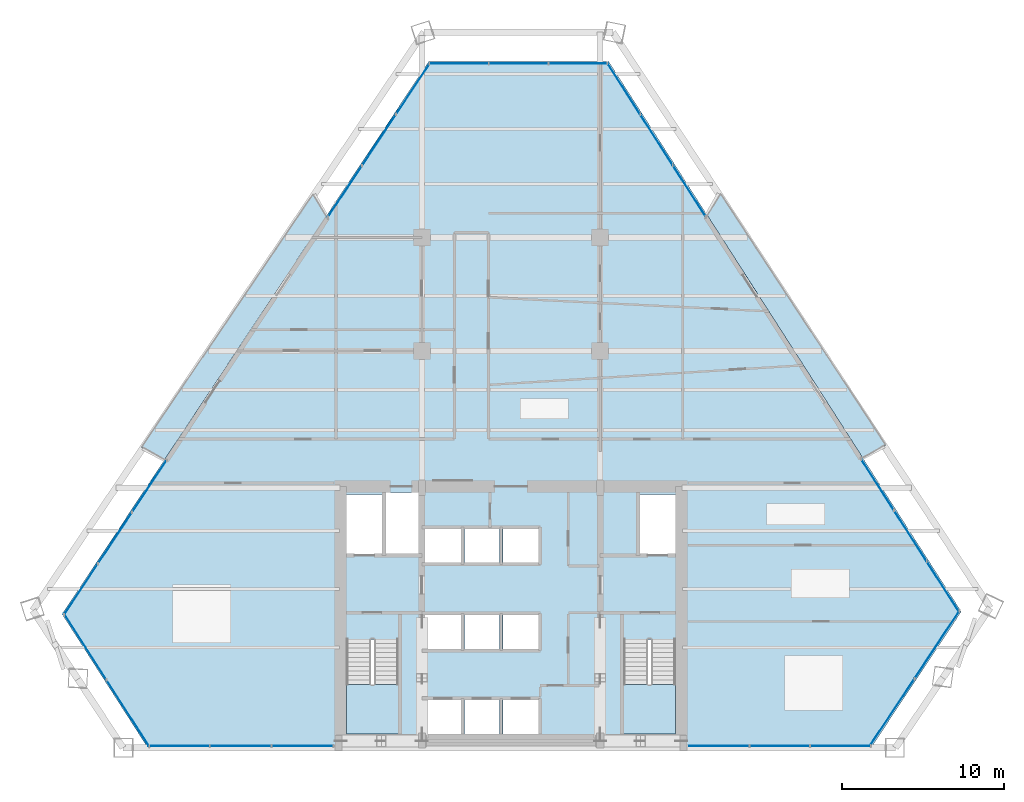
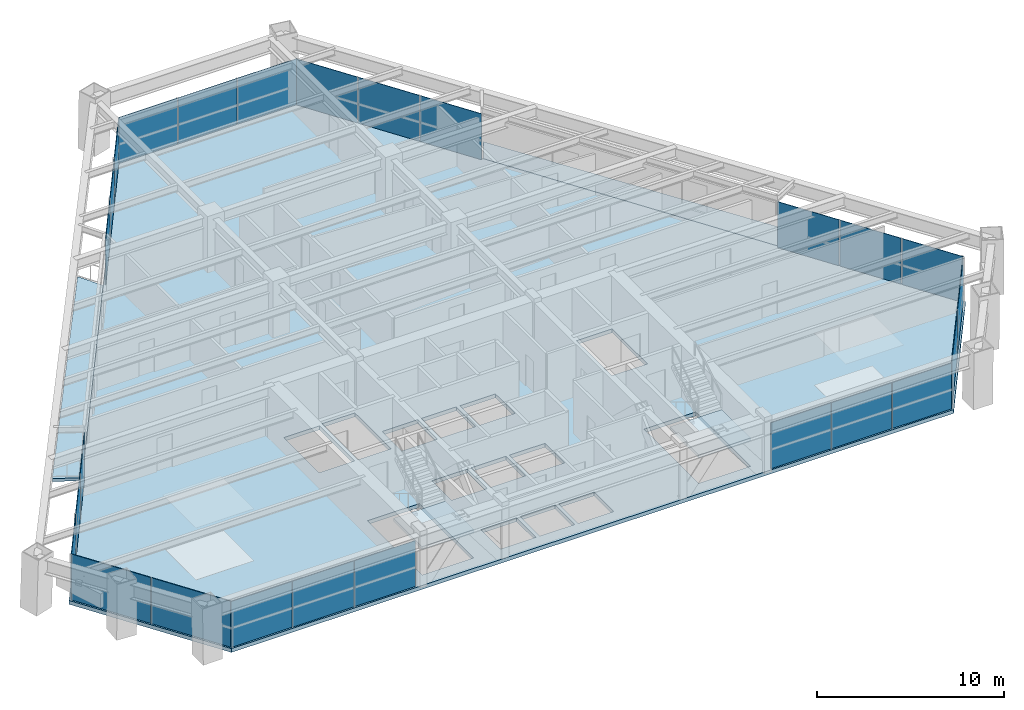
# One storey, part 9 of 14: 25 plates, 5 slabs, 11 elements without a shape of their own.
"""IFC4 building model written with IfcOpenShell, lengths in metres."""

from ifc_helpers import new_model, si_unit, direction, frame, origin, origin_2d, place, context, subcontext, project, spatial, polyline, rectangle, outline, extrude, source, transform, mapped, material, layer, layer_set, type_object, element, aggregate, save


model = new_model("IFC4")

# Units and contexts
model_context = context("Model", 3, precision=1e-05, world=origin(), true_north=direction((0.0, 1.0)))
body_context = subcontext(model_context, "Body", "Model", "MODEL_VIEW")
ifc_project = project(units=[si_unit("LENGTHUNIT", "METRE"), si_unit("AREAUNIT", "SQUARE_METRE"), si_unit("VOLUMEUNIT", "CUBIC_METRE"), si_unit("PLANEANGLEUNIT", "RADIAN"), si_unit("MASSUNIT", "GRAM", prefix="KILO")], contexts=[model_context])

# Site, building, storey
site_placement = place(None, origin())
site = spatial("IfcSite", under=ifc_project, at=site_placement, CompositionType="ELEMENT")
building_placement = place(site_placement, origin())
building = spatial("IfcBuilding", under=site, at=building_placement, Name="Varnakhor Terracotta Tower", CompositionType="ELEMENT")
storey_placement = place(building_placement, frame((0.0, 0.0, 117.300048828125)))
storey = spatial("IfcBuildingStorey", under=building, at=storey_placement, Name="L29", CompositionType="ELEMENT", Elevation=117.300048828125)

# Stair, slab
ifc_material_1 = material(Name="Concrete C40/50", Category="concrete")
stair_type = type_object("IfcStairType", Name="STR-CORE-OFFICE-1500", PredefinedType="HALF_TURN_STAIR", material=ifc_material_1)
stair_1_placement = place(storey_placement, origin())
stair_1 = element("IfcStair", 1, at=stair_1_placement, inside=storey, type_object=stair_type, Name="L29 Core Exit Stair ST-1", PredefinedType="HALF_TURN_STAIR")
ifc_layer_1 = layer(ifc_material_1, 0.179931640625, Name="Concrete C40/50")
ifc_layer_set_1 = layer_set([ifc_layer_1], Name="Concrete C40/50")
slab_type_1 = type_object("IfcSlabType", Name="SLB-LANDING-180", PredefinedType="LANDING", material=ifc_layer_set_1)
slab_1_placement = place(storey_placement, frame((0.0, 0.0, 1.64990234375)))
slab_1 = element("IfcSlab", 2, at=slab_1_placement, type_object=slab_type_1, Name="ST-1 landing 1", PredefinedType="LANDING", context=body_context, shape_type="SweptSolid", body=[
    extrude(outline(polyline([(-10.14990234375, 3.909912109375), (-10.14990234375, 0.85009765625), (-6.949951171875, 0.85009765625), (-6.949951171875, 3.909912109375), (-10.14990234375, 3.909912109375)])), origin(), (0.0, 0.0, 1.0), 0.199951171875),
])
aggregate(stair_1, [slab_1])

stair_2_placement = place(storey_placement, origin())
stair_2 = element("IfcStair", 3, at=stair_2_placement, inside=storey, type_object=stair_type, Name="L29 Core Exit Stair ST-2", PredefinedType="HALF_TURN_STAIR")
slab_2_placement = place(storey_placement, frame((0.0, 0.0, 1.64990234375)))
slab_2 = element("IfcSlab", 4, at=slab_2_placement, type_object=slab_type_1, Name="ST-2 landing 1", PredefinedType="LANDING", context=body_context, shape_type="SweptSolid", body=[
    extrude(outline(polyline([(6.949951171875, 3.909912109375), (6.949951171875, 0.85009765625), (10.14990234375, 0.85009765625), (10.14990234375, 3.909912109375), (6.949951171875, 3.909912109375)])), origin(), (0.0, 0.0, 1.0), 0.199951171875),
])
aggregate(stair_2, [slab_2])

# Slabs
ifc_layer_2 = layer(ifc_material_1, 0.195068359375, Name="Concrete C40/50")
ifc_layer_set_2 = layer_set([ifc_layer_2], Name="Concrete C40/50")
slab_type_2 = type_object("IfcSlabType", Name="SLB-LOGGIA-EXT-195", PredefinedType="FLOOR", material=ifc_layer_set_2)
slab_3_placement = place(storey_placement, frame((0.0, 0.0, -0.195068359375)))
element("IfcSlab", 5, at=slab_3_placement, inside=storey, type_object=slab_type_2, Name="L29 E Recessed Outdoor Loggia Slab", PredefinedType="FLOOR", context=body_context, shape_type="SweptSolid", body=[
    extrude(outline(polyline([(12.905517578125, 34.236083984375), (23.125244140625, 18.66748046875), (21.69970703125, 17.91064453125), (17.854736328125, 23.90966796875), (12.125732421875, 32.847900390625), (12.905517578125, 34.236083984375)])), origin(), (0.0, 0.0, 1.0), 0.195068359375),
])
slab_4_placement = place(storey_placement, frame((0.0, 0.0, -0.195068359375)))
element("IfcSlab", 6, at=slab_4_placement, inside=storey, type_object=slab_type_2, Name="L29 W Recessed Outdoor Loggia Slab", PredefinedType="FLOOR", context=body_context, shape_type="SweptSolid", body=[
    extrude(outline(polyline([(-22.802490234375, 18.549560546875), (-12.197998046875, 34.190185546875), (-11.41650390625, 32.803955078125), (-19.94482421875, 19.948974609375), (-21.372314453125, 17.797607421875), (-22.802490234375, 18.549560546875)])), origin(), (0.0, 0.0, 1.0), 0.195068359375),
])
ifc_layer_3 = layer(ifc_material_1, 0.25, Name="Concrete C40/50")
ifc_layer_set_3 = layer_set([ifc_layer_3], Name="Concrete C40/50")
slab_type_3 = type_object("IfcSlabType", Name="SLB-OFF-250", PredefinedType="FLOOR", material=ifc_layer_set_3)
slab_5_placement = place(storey_placement, frame((0.0, 0.0, -0.25)))
element("IfcSlab", 7, at=slab_5_placement, inside=storey, type_object=slab_type_3, Name="L29 Structural Floor Slab", PredefinedType="FLOOR", context=body_context, shape_type="SweptSolid", body=[
    extrude(outline(polyline([(-27.70751953125, 8.247802734375), (-5.0810546875, 42.353515625), (6.033203125, 42.353515625), (27.792236328125, 8.405029296875), (22.21630859375, 0.0), (-22.421142578125, 0.0), (-27.70751953125, 8.247802734375)]), holes=[polyline([(-3.10009765625, 0.85009765625), (-3.10009765625, 2.949951171875), (-5.300048828125, 2.949951171875), (-5.300048828125, 0.85009765625), (-3.10009765625, 0.85009765625)]), polyline([(-2.8798828125, 0.85009765625), (-0.719970703125, 0.85009765625), (-0.719970703125, 2.949951171875), (-2.8798828125, 2.949951171875), (-2.8798828125, 0.85009765625)]), polyline([(-10.14990234375, 0.85009765625), (-6.949951171875, 0.85009765625), (-6.949951171875, 6.695068359375), (-10.14990234375, 6.695068359375), (-10.14990234375, 0.85009765625)]), polyline([(-5.300048828125, 6.10009765625), (-3.10009765625, 6.10009765625), (-3.10009765625, 8.199951171875), (-5.300048828125, 8.199951171875), (-5.300048828125, 6.10009765625)]), polyline([(-5.300048828125, 11.419921875), (-3.10009765625, 11.419921875), (-3.10009765625, 13.52001953125), (-5.300048828125, 13.52001953125), (-5.300048828125, 11.419921875)]), polyline([(-10.14990234375, 11.8798828125), (-7.949951171875, 11.8798828125), (-7.949951171875, 15.64990234375), (-10.14990234375, 15.64990234375), (-10.14990234375, 11.8798828125)]), polyline([(-7.72998046875, 11.8798828125), (-5.699951171875, 11.8798828125), (-5.699951171875, 15.75), (-7.72998046875, 15.75), (-7.72998046875, 11.8798828125)]), polyline([(1.699951171875, 0.85009765625), (1.699951171875, 2.949951171875), (-0.5, 2.949951171875), (-0.5, 0.85009765625), (1.699951171875, 0.85009765625)]), polyline([(6.949951171875, 0.85009765625), (10.14990234375, 0.85009765625), (10.14990234375, 6.695068359375), (6.949951171875, 6.695068359375), (6.949951171875, 0.85009765625)]), polyline([(-2.8798828125, 6.10009765625), (-0.719970703125, 6.10009765625), (-0.719970703125, 8.199951171875), (-2.8798828125, 8.199951171875), (-2.8798828125, 6.10009765625)]), polyline([(-0.5, 6.10009765625), (1.699951171875, 6.10009765625), (1.699951171875, 8.199951171875), (-0.5, 8.199951171875), (-0.5, 6.10009765625)]), polyline([(-2.8798828125, 11.419921875), (-0.719970703125, 11.419921875), (-0.719970703125, 13.52001953125), (-2.8798828125, 13.52001953125), (-2.8798828125, 11.419921875)]), polyline([(-0.5, 11.419921875), (1.699951171875, 11.419921875), (1.699951171875, 13.52001953125), (-0.5, 13.52001953125), (-0.5, 11.419921875)]), polyline([(7.949951171875, 11.8798828125), (10.14990234375, 11.8798828125), (10.14990234375, 15.64990234375), (7.949951171875, 15.64990234375), (7.949951171875, 11.8798828125)])]), origin(), (0.0, 0.0, 1.0), 0.25),
])

# Curtain wall, plates
ifc_material_2 = material(Name="Anodised Aluminium Curtain Wall System", Category="aluminium")
curtain_wall_type = type_object("IfcCurtainWallType", Name="CW-SYS-LOW-OFFICE", PredefinedType="NOTDEFINED", material=ifc_material_2)
curtain_wall_1_placement = place(storey_placement, origin())
curtain_wall_1 = element("IfcCurtainWall", 8, at=curtain_wall_1_placement, inside=storey, type_object=curtain_wall_type, Name="L29 W Facet Curtain Wall 1", PredefinedType="NOTDEFINED")
ifc_material_3 = material(Name="Solar-Control Low-E Insulated Glass Panel", Category="glass")
ifc_layer_4 = layer(ifc_material_3, 0.0380859375, Name="Solar-Control Low-E Insulated Glass Panel")
ifc_layer_set_4 = layer_set([ifc_layer_4], Name="Solar-Control Low-E Insulated Glass Panel")
plate_type = type_object("IfcPlateType", Name="CWP-02", PredefinedType="CURTAIN_PANEL", material=ifc_layer_set_4)
shared_shape_1 = source(origin(), body_context, "Body", "SweptSolid", [
    extrude(rectangle(XDim=3.760009765625, YDim=0.035888671875, at=origin_2d()), origin(), (0.0, 0.0, 1.0), 3.0),
])
plate_1_placement = place(storey_placement, frame((-26.54052734375, 9.789794921875, 0.0), z_axis=(0.0, 0.0, 1.0), x_axis=(0.552824469583, 0.833297729404, 0.0)))
plate_1 = element("IfcPlate", 9, at=plate_1_placement, type_object=plate_type, Name="L29 W Facet Curtain Wall 1 Glazed Panel 1", PredefinedType="CURTAIN_PANEL", context=body_context, shape_type="MappedRepresentation", body=[
    mapped(shared_shape_1, transform((0.0, 0.0, 0.0), scale=1.0)),
])
plate_2_placement = place(storey_placement, frame((-24.43994140625, 12.956298828125, 0.0), z_axis=(0.0, 0.0, 1.0), x_axis=(0.552824469583, 0.833297729404, 0.0)))
plate_2 = element("IfcPlate", 10, at=plate_2_placement, type_object=plate_type, Name="L29 W Facet Curtain Wall 1 Glazed Panel 2", PredefinedType="CURTAIN_PANEL", context=body_context, shape_type="MappedRepresentation", body=[
    mapped(shared_shape_1, transform((0.0, 0.0, 0.0), scale=1.0)),
])
plate_3_placement = place(storey_placement, frame((-22.339111328125, 16.122802734375, 0.0), z_axis=(0.0, 0.0, 1.0), x_axis=(0.552824469583, 0.833297729404, 0.0)))
plate_3 = element("IfcPlate", 11, at=plate_3_placement, type_object=plate_type, Name="L29 W Facet Curtain Wall 1 Glazed Panel 3", PredefinedType="CURTAIN_PANEL", context=body_context, shape_type="MappedRepresentation", body=[
    mapped(shared_shape_1, transform((0.0, 0.0, 0.0), scale=1.0)),
])
aggregate(curtain_wall_1, [plate_1, plate_2, plate_3])

curtain_wall_2_placement = place(storey_placement, origin())
curtain_wall_2 = element("IfcCurtainWall", 12, at=curtain_wall_2_placement, inside=storey, type_object=curtain_wall_type, Name="L29 W Facet Curtain Wall 2", PredefinedType="NOTDEFINED")
plate_4_placement = place(storey_placement, frame((-10.24951171875, 34.345703125, 0.0), z_axis=(0.0, 0.0, 1.0), x_axis=(0.552824469583, 0.833297729404, 0.0)))
plate_4 = element("IfcPlate", 13, at=plate_4_placement, type_object=plate_type, Name="L29 W Facet Curtain Wall 2 Glazed Panel 1", PredefinedType="CURTAIN_PANEL", context=body_context, shape_type="MappedRepresentation", body=[
    mapped(shared_shape_1, transform((0.0, 0.0, 0.0), scale=1.0)),
])
plate_5_placement = place(storey_placement, frame((-8.148681640625, 37.51220703125, 0.0), z_axis=(0.0, 0.0, 1.0), x_axis=(0.552824469583, 0.833297729404, 0.0)))
plate_5 = element("IfcPlate", 14, at=plate_5_placement, type_object=plate_type, Name="L29 W Facet Curtain Wall 2 Glazed Panel 2", PredefinedType="CURTAIN_PANEL", context=body_context, shape_type="MappedRepresentation", body=[
    mapped(shared_shape_1, transform((0.0, 0.0, 0.0), scale=1.0)),
])
plate_6_placement = place(storey_placement, frame((-6.048095703125, 40.678955078125, 0.0), z_axis=(0.0, 0.0, 1.0), x_axis=(0.552824469583, 0.833297729404, 0.0)))
plate_6 = element("IfcPlate", 15, at=plate_6_placement, type_object=plate_type, Name="L29 W Facet Curtain Wall 2 Glazed Panel 3", PredefinedType="CURTAIN_PANEL", context=body_context, shape_type="MappedRepresentation", body=[
    mapped(shared_shape_1, transform((0.0, 0.0, 0.0), scale=1.0)),
])
aggregate(curtain_wall_2, [plate_4, plate_5, plate_6])

curtain_wall_3_placement = place(storey_placement, origin())
curtain_wall_3 = element("IfcCurtainWall", 16, at=curtain_wall_3_placement, inside=storey, type_object=curtain_wall_type, Name="L29 Facet Curtain Wall 2", PredefinedType="NOTDEFINED")
shared_shape_2 = source(origin(), body_context, "Body", "SweptSolid", [
    extrude(rectangle(XDim=3.644775390625, YDim=0.035888671875, at=origin_2d()), origin(), (0.0, 0.0, 1.0), 3.0),
])
plate_7_placement = place(storey_placement, frame((-3.208740234375, 42.2333984375, 0.0), z_axis=(0.0, 0.0, 1.0), x_axis=(1.0, 0.0, 0.0)))
plate_7 = element("IfcPlate", 17, at=plate_7_placement, type_object=plate_type, Name="L29 Facet Curtain Wall 2 Glazed Panel 1", PredefinedType="CURTAIN_PANEL", context=body_context, shape_type="MappedRepresentation", body=[
    mapped(shared_shape_2, transform((0.0, 0.0, 0.0), scale=1.0)),
])
plate_8_placement = place(storey_placement, frame((0.47607421875, 42.2333984375, 0.0), z_axis=(0.0, 0.0, 1.0), x_axis=(1.0, 0.0, 0.0)))
plate_8 = element("IfcPlate", 18, at=plate_8_placement, type_object=plate_type, Name="L29 Facet Curtain Wall 2 Glazed Panel 2", PredefinedType="CURTAIN_PANEL", context=body_context, shape_type="MappedRepresentation", body=[
    mapped(shared_shape_2, transform((0.0, 0.0, 0.0), scale=1.0)),
])
plate_9_placement = place(storey_placement, frame((4.160888671875, 42.2333984375, 0.0), z_axis=(0.0, 0.0, 1.0), x_axis=(1.0, 0.0, 0.0)))
plate_9 = element("IfcPlate", 19, at=plate_9_placement, type_object=plate_type, Name="L29 Facet Curtain Wall 2 Glazed Panel 3", PredefinedType="CURTAIN_PANEL", context=body_context, shape_type="MappedRepresentation", body=[
    mapped(shared_shape_2, transform((0.0, 0.0, 0.0), scale=1.0)),
])
aggregate(curtain_wall_3, [plate_7, plate_8, plate_9])

curtain_wall_4_placement = place(storey_placement, origin())
curtain_wall_4 = element("IfcCurtainWall", 20, at=curtain_wall_4_placement, inside=storey, type_object=curtain_wall_type, Name="L29 E Facet Curtain Wall 1", PredefinedType="NOTDEFINED")
shared_shape_3 = source(origin(), body_context, "Body", "SweptSolid", [
    extrude(rectangle(XDim=3.70361328125, YDim=0.035888671875, at=origin_2d()), origin(), (0.0, 0.0, 1.0), 3.0),
])
plate_10_placement = place(storey_placement, frame((6.95849609375, 40.687744140625, 0.0), z_axis=(0.0, 0.0, 1.0), x_axis=(0.53960862164, -0.841915990733, 0.0)))
plate_10 = element("IfcPlate", 21, at=plate_10_placement, type_object=plate_type, Name="L29 E Facet Curtain Wall 1 Glazed Panel 1", PredefinedType="CURTAIN_PANEL", context=body_context, shape_type="MappedRepresentation", body=[
    mapped(shared_shape_3, transform((0.0, 0.0, 0.0), scale=1.0)),
])
plate_11_placement = place(storey_placement, frame((8.978515625, 37.535888671875, 0.0), z_axis=(0.0, 0.0, 1.0), x_axis=(0.53960862164, -0.841915990733, 0.0)))
plate_11 = element("IfcPlate", 22, at=plate_11_placement, type_object=plate_type, Name="L29 E Facet Curtain Wall 1 Glazed Panel 2", PredefinedType="CURTAIN_PANEL", context=body_context, shape_type="MappedRepresentation", body=[
    mapped(shared_shape_3, transform((0.0, 0.0, 0.0), scale=1.0)),
])
plate_12_placement = place(storey_placement, frame((10.99853515625, 34.38427734375, 0.0), z_axis=(0.0, 0.0, 1.0), x_axis=(0.53960862164, -0.841915990733, 0.0)))
plate_12 = element("IfcPlate", 23, at=plate_12_placement, type_object=plate_type, Name="L29 E Facet Curtain Wall 1 Glazed Panel 3", PredefinedType="CURTAIN_PANEL", context=body_context, shape_type="MappedRepresentation", body=[
    mapped(shared_shape_3, transform((0.0, 0.0, 0.0), scale=1.0)),
])
aggregate(curtain_wall_4, [plate_10, plate_11, plate_12])

curtain_wall_5_placement = place(storey_placement, origin())
curtain_wall_5 = element("IfcCurtainWall", 24, at=curtain_wall_5_placement, inside=storey, type_object=curtain_wall_type, Name="L29 E Facet Curtain Wall 2", PredefinedType="NOTDEFINED")
plate_13_placement = place(storey_placement, frame((22.625, 16.24462890625, 0.0), z_axis=(0.0, 0.0, 1.0), x_axis=(0.53960862164, -0.841915990733, 0.0)))
plate_13 = element("IfcPlate", 25, at=plate_13_placement, type_object=plate_type, Name="L29 E Facet Curtain Wall 2 Glazed Panel 1", PredefinedType="CURTAIN_PANEL", context=body_context, shape_type="MappedRepresentation", body=[
    mapped(shared_shape_3, transform((0.0, 0.0, 0.0), scale=1.0)),
])
plate_14_placement = place(storey_placement, frame((24.64501953125, 13.093017578125, 0.0), z_axis=(0.0, 0.0, 1.0), x_axis=(0.53960862164, -0.841915990733, 0.0)))
plate_14 = element("IfcPlate", 26, at=plate_14_placement, type_object=plate_type, Name="L29 E Facet Curtain Wall 2 Glazed Panel 2", PredefinedType="CURTAIN_PANEL", context=body_context, shape_type="MappedRepresentation", body=[
    mapped(shared_shape_3, transform((0.0, 0.0, 0.0), scale=1.0)),
])
plate_15_placement = place(storey_placement, frame((26.6650390625, 9.94140625, 0.0), z_axis=(0.0, 0.0, 1.0), x_axis=(0.53960862164, -0.841915990733, 0.0)))
plate_15 = element("IfcPlate", 27, at=plate_15_placement, type_object=plate_type, Name="L29 E Facet Curtain Wall 2 Glazed Panel 3", PredefinedType="CURTAIN_PANEL", context=body_context, shape_type="MappedRepresentation", body=[
    mapped(shared_shape_3, transform((0.0, 0.0, 0.0), scale=1.0)),
])
aggregate(curtain_wall_5, [plate_13, plate_14, plate_15])

curtain_wall_6_placement = place(storey_placement, origin())
curtain_wall_6 = element("IfcCurtainWall", 28, at=curtain_wall_6_placement, inside=storey, type_object=curtain_wall_type, Name="L29 Facet Curtain Wall 4", PredefinedType="NOTDEFINED")
shared_shape_4 = source(origin(), body_context, "Body", "SweptSolid", [
    extrude(rectangle(XDim=4.97314453125, YDim=0.035888671875, at=origin_2d()), origin(), (0.0, 0.0, 1.0), 3.0),
])
plate_16_placement = place(storey_placement, frame((26.2900390625, 6.357421875, 0.0), z_axis=(0.0, 0.0, 1.0), x_axis=(-0.552824469583, -0.833297729404, 0.0)))
plate_16 = element("IfcPlate", 29, at=plate_16_placement, type_object=plate_type, Name="L29 Facet Curtain Wall 4 Glazed Panel 1", PredefinedType="CURTAIN_PANEL", context=body_context, shape_type="MappedRepresentation", body=[
    mapped(shared_shape_4, transform((0.0, 0.0, 0.0), scale=1.0)),
])
shared_shape_5 = source(origin(), body_context, "Body", "SweptSolid", [
    extrude(rectangle(XDim=4.973388671875, YDim=0.035888671875, at=origin_2d()), origin(), (0.0, 0.0, 1.0), 3.0),
])
plate_17_placement = place(storey_placement, frame((23.5185546875, 2.18017578125, 0.0), z_axis=(0.0, 0.0, 1.0), x_axis=(-0.552824469583, -0.833297729404, 0.0)))
plate_17 = element("IfcPlate", 30, at=plate_17_placement, type_object=plate_type, Name="L29 Facet Curtain Wall 4 Glazed Panel 2", PredefinedType="CURTAIN_PANEL", context=body_context, shape_type="MappedRepresentation", body=[
    mapped(shared_shape_5, transform((0.0, 0.0, 0.0), scale=1.0)),
])
aggregate(curtain_wall_6, [plate_16, plate_17])

curtain_wall_7_placement = place(storey_placement, origin())
curtain_wall_7 = element("IfcCurtainWall", 31, at=curtain_wall_7_placement, inside=storey, type_object=curtain_wall_type, Name="L29 South Wing Curtain Wall SSE", PredefinedType="NOTDEFINED")
shared_shape_6 = source(origin(), body_context, "Body", "SweptSolid", [
    extrude(rectangle(XDim=3.705322265625, YDim=0.035888671875, at=origin_2d()), origin(), (0.0, 0.0, 1.0), 3.0),
])
plate_18_placement = place(storey_placement, frame((20.33349609375, 0.1201171875, 0.0), z_axis=(0.0, 0.0, 1.0), x_axis=(-1.0, 0.0, 0.0)))
plate_18 = element("IfcPlate", 32, at=plate_18_placement, type_object=plate_type, Name="L29 South Wing Curtain Wall SSE Glazed Panel 1", PredefinedType="CURTAIN_PANEL", context=body_context, shape_type="MappedRepresentation", body=[
    mapped(shared_shape_6, transform((0.0, 0.0, 0.0), scale=1.0)),
])
plate_19_placement = place(storey_placement, frame((16.588134765625, 0.1201171875, 0.0), z_axis=(0.0, 0.0, 1.0), x_axis=(-1.0, 0.0, 0.0)))
plate_19 = element("IfcPlate", 33, at=plate_19_placement, type_object=plate_type, Name="L29 South Wing Curtain Wall SSE Glazed Panel 2", PredefinedType="CURTAIN_PANEL", context=body_context, shape_type="MappedRepresentation", body=[
    mapped(shared_shape_6, transform((0.0, 0.0, 0.0), scale=1.0)),
])
plate_20_placement = place(storey_placement, frame((12.8427734375, 0.1201171875, 0.0), z_axis=(0.0, 0.0, 1.0), x_axis=(-1.0, 0.0, 0.0)))
plate_20 = element("IfcPlate", 34, at=plate_20_placement, type_object=plate_type, Name="L29 South Wing Curtain Wall SSE Glazed Panel 3", PredefinedType="CURTAIN_PANEL", context=body_context, shape_type="MappedRepresentation", body=[
    mapped(shared_shape_6, transform((0.0, 0.0, 0.0), scale=1.0)),
])
aggregate(curtain_wall_7, [plate_18, plate_19, plate_20])

curtain_wall_8_placement = place(storey_placement, origin())
curtain_wall_8 = element("IfcCurtainWall", 35, at=curtain_wall_8_placement, inside=storey, type_object=curtain_wall_type, Name="L29 South Wing Curtain Wall SSW", PredefinedType="NOTDEFINED")
shared_shape_7 = source(origin(), body_context, "Body", "SweptSolid", [
    extrude(rectangle(XDim=3.773681640625, YDim=0.035888671875, at=origin_2d()), origin(), (0.0, 0.0, 1.0), 3.0),
])
plate_21_placement = place(storey_placement, frame((-12.876953125, 0.1201171875, 0.0), z_axis=(0.0, 0.0, 1.0), x_axis=(-1.0, 0.0, 0.0)))
plate_21 = element("IfcPlate", 36, at=plate_21_placement, type_object=plate_type, Name="L29 South Wing Curtain Wall SSW Glazed Panel 1", PredefinedType="CURTAIN_PANEL", context=body_context, shape_type="MappedRepresentation", body=[
    mapped(shared_shape_7, transform((0.0, 0.0, 0.0), scale=1.0)),
])
plate_22_placement = place(storey_placement, frame((-16.690673828125, 0.1201171875, 0.0), z_axis=(0.0, 0.0, 1.0), x_axis=(-1.0, 0.0, 0.0)))
plate_22 = element("IfcPlate", 37, at=plate_22_placement, type_object=plate_type, Name="L29 South Wing Curtain Wall SSW Glazed Panel 2", PredefinedType="CURTAIN_PANEL", context=body_context, shape_type="MappedRepresentation", body=[
    mapped(shared_shape_7, transform((0.0, 0.0, 0.0), scale=1.0)),
])
plate_23_placement = place(storey_placement, frame((-20.50439453125, 0.1201171875, 0.0), z_axis=(0.0, 0.0, 1.0), x_axis=(-1.0, 0.0, 0.0)))
plate_23 = element("IfcPlate", 38, at=plate_23_placement, type_object=plate_type, Name="L29 South Wing Curtain Wall SSW Glazed Panel 3", PredefinedType="CURTAIN_PANEL", context=body_context, shape_type="MappedRepresentation", body=[
    mapped(shared_shape_7, transform((0.0, 0.0, 0.0), scale=1.0)),
])
aggregate(curtain_wall_8, [plate_21, plate_22, plate_23])

curtain_wall_9_placement = place(storey_placement, origin())
curtain_wall_9 = element("IfcCurtainWall", 39, at=curtain_wall_9_placement, inside=storey, type_object=curtain_wall_type, Name="L29 Facet Curtain Wall 6", PredefinedType="NOTDEFINED")
shared_shape_8 = source(origin(), body_context, "Body", "SweptSolid", [
    extrude(rectangle(XDim=4.828369140625, YDim=0.035888671875, at=origin_2d()), origin(), (0.0, 0.0, 1.0), 3.0),
])
plate_24_placement = place(storey_placement, frame((-23.64990234375, 2.139404296875, 0.0), z_axis=(0.0, 0.0, 1.0), x_axis=(-0.53960862164, 0.841915990733, 0.0)))
plate_24 = element("IfcPlate", 40, at=plate_24_placement, type_object=plate_type, Name="L29 Facet Curtain Wall 6 Glazed Panel 1", PredefinedType="CURTAIN_PANEL", context=body_context, shape_type="MappedRepresentation", body=[
    mapped(shared_shape_8, transform((0.0, 0.0, 0.0), scale=1.0)),
])
plate_25_placement = place(storey_placement, frame((-26.27685546875, 6.238037109375, 0.0), z_axis=(0.0, 0.0, 1.0), x_axis=(-0.53960862164, 0.841915990733, 0.0)))
plate_25 = element("IfcPlate", 41, at=plate_25_placement, type_object=plate_type, Name="L29 Facet Curtain Wall 6 Glazed Panel 2", PredefinedType="CURTAIN_PANEL", context=body_context, shape_type="MappedRepresentation", body=[
    mapped(shared_shape_8, transform((0.0, 0.0, 0.0), scale=1.0)),
])
aggregate(curtain_wall_9, [plate_24, plate_25])

save(model, "model.ifc")
